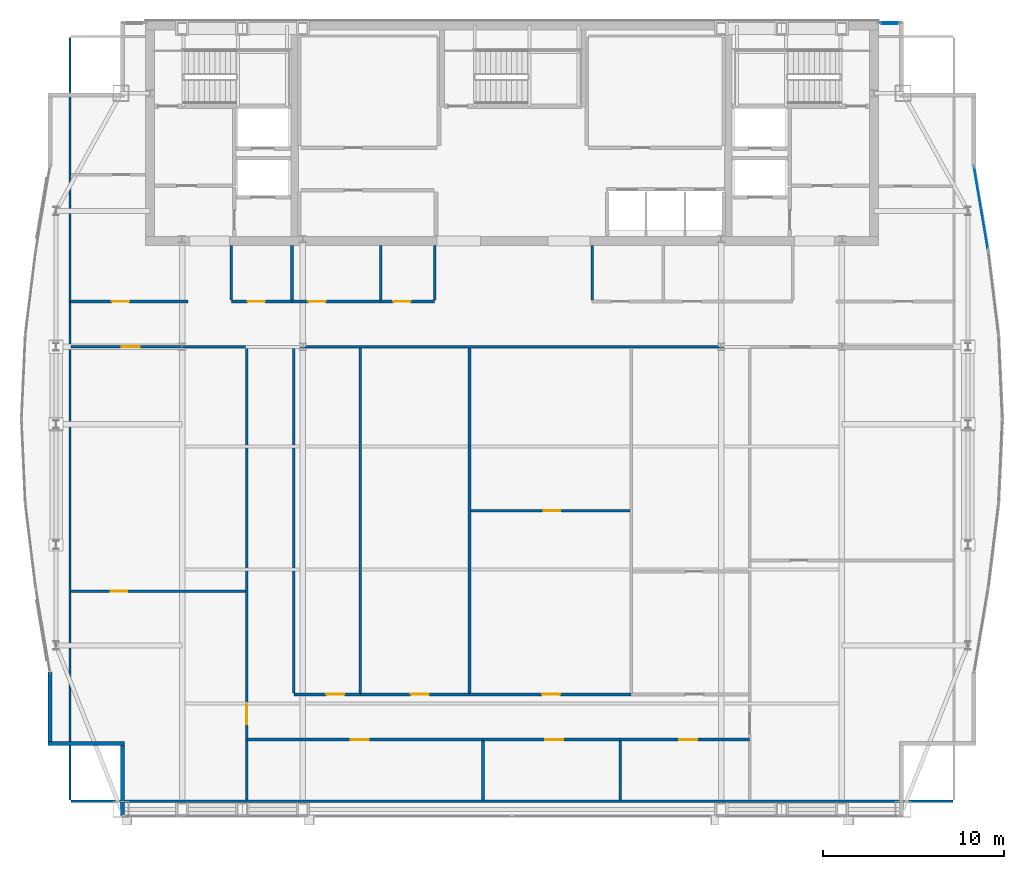
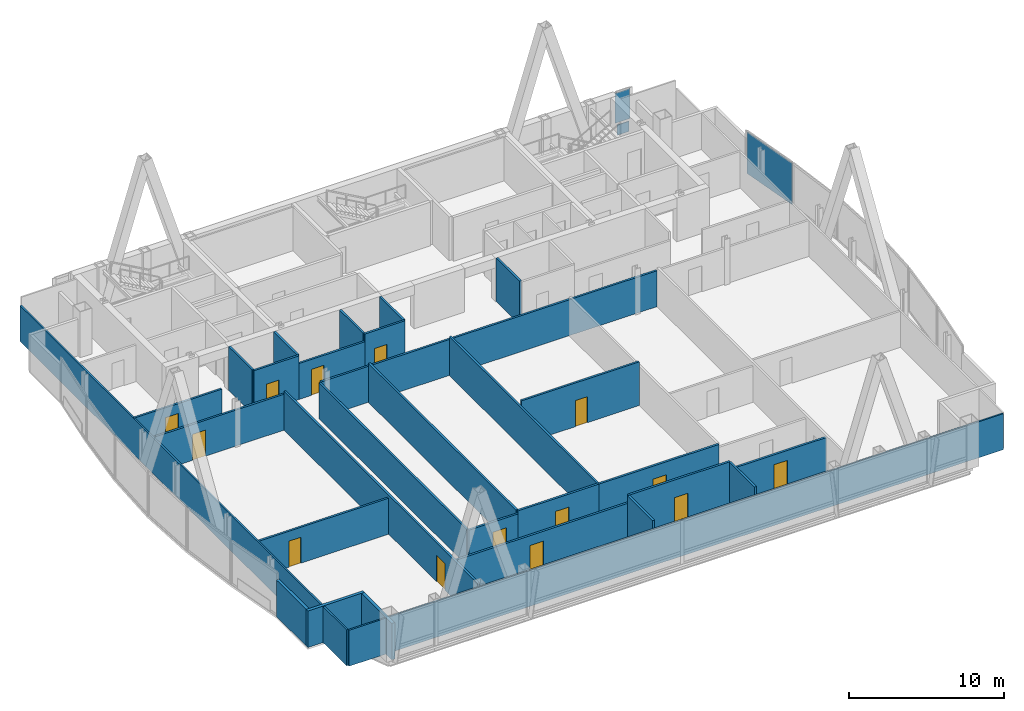
# One storey, part 24 of 29: 30 walls, 14 doors, 3 plates, 14 openings, 2 elements without a shape of their own.
"""IFC4 building model written with IfcOpenShell, lengths in metres."""

import ifcopenshell
import ifcopenshell.guid

model = None  # the IFC model being written
_history = None  # IfcOwnerHistory: only IFC2X3 demands one
_inside = {}  # id of a spatial element -> (the spatial element, [elements in it])
_under = {}  # id of a project, library or spatial element -> (it, [spatial elements below it])
_declared = {}  # id of a project -> (the project, [libraries it declares])
_typed = {}  # id of a type object -> (the type object, [elements of that type])
_made_of = {}  # id of a material, layer set ... -> (it, [elements and type objects made of it])


def new_model(schema):
    """Start an empty IFC model of exactly this schema.

    Asked for "IFC4X3", IfcOpenShell would pick the latest addendum, in which some entities
    have other attributes; the version numbers below select the first issue.
    IFC2X3 requires an IfcOwnerHistory on every rooted entity: one is made here for all.
    """
    global model, _history
    if schema == "IFC4X3":
        model = ifcopenshell.file(schema_version=(4, 3, 0, 0))
    else:
        model = ifcopenshell.file(schema=schema)
    _inside.clear()
    _under.clear()
    _declared.clear()
    _typed.clear()
    _made_of.clear()
    _history = None
    if model.schema == "IFC2X3":
        org = make("IfcOrganization", Name="unknown")
        user = make(
            "IfcPersonAndOrganization",
            ThePerson=make("IfcPerson", FamilyName="unknown"),
            TheOrganization=org,
        )
        app = make(
            "IfcApplication",
            ApplicationDeveloper=org,
            Version="unknown",
            ApplicationFullName="unknown",
            ApplicationIdentifier="unknown",
        )
        _history = make(
            "IfcOwnerHistory",
            OwningUser=user,
            OwningApplication=app,
            ChangeAction="ADDED",
            CreationDate=0,
        )
    return model


def make(cls, **values):
    """One entity of the class cls with the attributes given. An attribute that is None is left unset."""
    return model.create_entity(
        cls, **{name: value for name, value in values.items() if value is not None}
    )


def rooted(cls, **values):
    """An entity with a GlobalId (a new one), such as an element, a storey or a relation."""
    return make(cls, GlobalId=ifcopenshell.guid.new(), OwnerHistory=_history, **values)


def si_unit(unit_type, name, prefix=None):
    """IfcSIUnit, for example si_unit("LENGTHUNIT", "METRE", prefix="MILLI")."""
    return make("IfcSIUnit", UnitType=unit_type, Prefix=prefix, Name=name)


def assignment(units):
    """IfcUnitAssignment: the units of a project."""
    return None if units is None else make("IfcUnitAssignment", Units=units)


def point(xyz):
    """IfcCartesianPoint."""
    return None if xyz is None else make("IfcCartesianPoint", Coordinates=xyz)


def direction(xyz):
    """IfcDirection."""
    return None if xyz is None else make("IfcDirection", DirectionRatios=xyz)


def frame(location, z_axis=None, x_axis=None):
    """IfcAxis2Placement3D, a coordinate frame: its origin and axes. An axis left out is left unset."""
    return make(
        "IfcAxis2Placement3D",
        Location=point(location),
        Axis=direction(z_axis),
        RefDirection=direction(x_axis),
    )


def frame_2d(location, x_axis=None):
    """IfcAxis2Placement2D, a coordinate frame in the plane: its origin and x axis."""
    return make(
        "IfcAxis2Placement2D", Location=point(location), RefDirection=direction(x_axis)
    )


def origin():
    """The frame at (0, 0, 0) with its axes left unset."""
    return frame((0.0, 0.0, 0.0))


def origin_2d():
    """The frame at (0, 0) in the plane with its x axis left unset."""
    return frame_2d((0.0, 0.0))


def place(relative_to, where):
    """IfcLocalPlacement: puts the frame where relative to a parent placement (None: the world)."""
    return make(
        "IfcLocalPlacement", PlacementRelTo=relative_to, RelativePlacement=where
    )


def context(
    kind, dimensions, precision=None, world=None, true_north=None, identifier=None
):
    """IfcGeometricRepresentationContext, for example the 3D "Model" context."""
    return make(
        "IfcGeometricRepresentationContext",
        ContextIdentifier=identifier,
        ContextType=kind,
        CoordinateSpaceDimension=dimensions,
        Precision=precision,
        WorldCoordinateSystem=world,
        TrueNorth=true_north,
    )


def subcontext(parent, identifier, kind, view, scale=None):
    """IfcGeometricRepresentationSubContext, for example "Body" below "Model"."""
    return make(
        "IfcGeometricRepresentationSubContext",
        ContextIdentifier=identifier,
        ContextType=kind,
        ParentContext=parent,
        TargetScale=scale,
        TargetView=view,
    )


def project(units=None, contexts=None):
    """IfcProject with its units and contexts."""
    return rooted(
        "IfcProject",
        Name="project",
        RepresentationContexts=contexts,
        UnitsInContext=assignment(units),
    )


def spatial(cls, under=None, at=None, **own):
    """A site, building, storey or space (cls), placed at a placement, below another one or the project."""
    s = rooted(cls, ObjectPlacement=at, **own)
    if under is not None:
        _under.setdefault(under.id(), (under, []))[1].append(s)
    return s


def profile(cls, at=None, kind="AREA", **sizes):
    """A parametric profile (cls). Its sizes go by their IFC names, for example OverallWidth=200.0."""
    return make(cls, ProfileType=kind, Position=at, **sizes)


def rectangle(**sizes):
    """IfcRectangleProfileDef."""
    return profile("IfcRectangleProfileDef", **sizes)


def extrude(swept, where, along, depth):
    """IfcExtrudedAreaSolid: the profile swept, set in the frame where, extruded along a direction by depth."""
    return make(
        "IfcExtrudedAreaSolid",
        SweptArea=swept,
        Position=where,
        ExtrudedDirection=direction(along),
        Depth=depth,
    )


def shape(context_of_items, identifier, shape_type, items):
    """IfcShapeRepresentation: the items that make up one representation, for example the "Body"."""
    return make(
        "IfcShapeRepresentation",
        ContextOfItems=context_of_items,
        RepresentationIdentifier=identifier,
        RepresentationType=shape_type,
        Items=items,
    )


def material(Name=None, Category=None):
    """IfcMaterial."""
    return make("IfcMaterial", Name=Name, Category=Category)


def layer(
    of_material, thickness, ventilated=None, Name=None, Category=None, Priority=None
):
    """IfcMaterialLayer: one layer of a wall or slab, of a material (None: an air gap)."""
    return make(
        "IfcMaterialLayer",
        Material=of_material,
        LayerThickness=thickness,
        IsVentilated=ventilated,
        Name=Name,
        Category=Category,
        Priority=Priority,
    )


def layer_set(layers, Name=None):
    """IfcMaterialLayerSet."""
    return make("IfcMaterialLayerSet", MaterialLayers=layers, LayerSetName=Name)


def made_of(thing, what):
    """Note that an element or type object is made of a material, layer set ...; save() writes the relation."""
    if what is not None:
        _made_of.setdefault(what.id(), (what, []))[1].append(thing)
    return thing


def type_object(cls, material=None, **own):
    """A type object (cls), such as IfcWallType, which elements share."""
    return made_of(rooted(cls, **own), material)


def element(
    cls,
    number,
    at=None,
    inside=None,
    cuts=None,
    type_object=None,
    material=None,
    context=None,
    identifier="Body",
    shape_type=None,
    held_by="IfcProductDefinitionShape",
    body=None,
    shapes=None,
    **own,
):
    """One element of the class cls, such as IfcWall. Its Tag is "e" and its number.

    at: its placement. inside: the storey or other place that contains it. cuts: it is an
    opening in that element (IfcRelVoidsElement). A single representation is given by context,
    identifier, shape_type and body (its items); several are given by shapes. held_by: the class
    of the entity that holds the representations. save() writes the other relations.
    """
    e = rooted(cls, Tag="e%d" % number, ObjectPlacement=at, **own)
    if body is not None:
        shapes = [shape(context, identifier, shape_type, body)]
    if shapes is not None:
        e.Representation = make(held_by, Representations=shapes)
    if inside is not None:
        _inside.setdefault(inside.id(), (inside, []))[1].append(e)
    if cuts is not None:
        rooted(
            "IfcRelVoidsElement", RelatingBuildingElement=cuts, RelatedOpeningElement=e
        )
    if type_object is not None:
        _typed.setdefault(type_object.id(), (type_object, []))[1].append(e)
    return made_of(e, material)


def fill(opening, filler):
    """IfcRelFillsElement: the door or window that sits in an opening."""
    return rooted(
        "IfcRelFillsElement",
        RelatingOpeningElement=opening,
        RelatedBuildingElement=filler,
    )


def aggregate(whole, parts):
    """IfcRelAggregates: a whole, such as a stair, and the parts it consists of."""
    return rooted("IfcRelAggregates", RelatingObject=whole, RelatedObjects=parts)


def save(model, path):
    """Write the relations noted so far, then the file.

    IfcRelAggregates (storeys below a building ...), IfcRelContainedInSpatialStructure (elements
    in a storey), IfcRelDefinesByType, IfcRelAssociatesMaterial and IfcRelDeclares: one each for
    every whole, place, type object, material and project.
    """
    for whole, parts in _under.values():
        aggregate(whole, parts)
    for where, things in _inside.values():
        rooted(
            "IfcRelContainedInSpatialStructure",
            RelatedElements=things,
            RelatingStructure=where,
        )
    for kind, things in _typed.values():
        rooted("IfcRelDefinesByType", RelatedObjects=things, RelatingType=kind)
    for what, things in _made_of.values():
        rooted("IfcRelAssociatesMaterial", RelatedObjects=things, RelatingMaterial=what)
    for by, libraries in _declared.values():
        rooted("IfcRelDeclares", RelatingContext=by, RelatedDefinitions=libraries)
    model.write(path)


model = new_model("IFC4")

# Units and contexts
model_context = context("Model", 3, precision=1e-05, world=origin(), true_north=direction((0.0, 1.0)))
body_context = subcontext(model_context, "Body", "Model", "MODEL_VIEW")
ifc_project = project(units=[si_unit("LENGTHUNIT", "METRE"), si_unit("AREAUNIT", "SQUARE_METRE"), si_unit("VOLUMEUNIT", "CUBIC_METRE"), si_unit("PLANEANGLEUNIT", "RADIAN"), si_unit("MASSUNIT", "GRAM", prefix="KILO")], contexts=[model_context])

# Site, building, storey
site_placement = place(None, origin())
site = spatial("IfcSite", under=ifc_project, at=site_placement, CompositionType="ELEMENT")
building_placement = place(site_placement, origin())
building = spatial("IfcBuilding", under=site, at=building_placement, Name="Khoronbel Lancet Exchange", CompositionType="ELEMENT")
storey_placement = place(building_placement, frame((0.0, 0.0, 336.199951171875)))
storey = spatial("IfcBuildingStorey", under=building, at=storey_placement, Name="L87", CompositionType="ELEMENT", Elevation=336.199951171875)

# Curtain wall, plates
ifc_material_1 = material(Name="Low-E Solar Control Insulating Glass", Category="glass")
curtain_wall_type_1 = type_object("IfcCurtainWallType", Name="CW-3", PredefinedType="NOTDEFINED", material=ifc_material_1)
curtain_wall_1_placement = place(storey_placement, origin())
curtain_wall_1 = element("IfcCurtainWall", 1, at=curtain_wall_1_placement, inside=storey, type_object=curtain_wall_type_1, Name="Unitised curtain wall CW-L87-NEFLK", PredefinedType="NOTDEFINED")
ifc_material_2 = material(Name="Bronze-Anodised Aluminium 6063-T6", Category="aluminium")
ifc_layer_1 = layer(ifc_material_2, 0.050048828125, Name="Bronze-Anodised Aluminium 6063-T6")
ifc_layer_set_1 = layer_set([ifc_layer_1], Name="Bronze-Anodised Aluminium 6063-T6")
plate_type_1 = type_object("IfcPlateType", Name="PLT-CSP1", PredefinedType="SHEET", material=ifc_layer_set_1)
plate_1_placement = place(storey_placement, frame((57.320068359375, 53.550048828125, 0.0498046875), z_axis=(0.0, 0.0, 1.0), x_axis=(-1.0, 0.0, 0.0)))
plate_1 = element("IfcPlate", 2, at=plate_1_placement, type_object=plate_type_1, Name="Insulated bronze spandrel cassette CW-L87-NEFLK", PredefinedType="SHEET", context=body_context, shape_type="SweptSolid", body=[
    extrude(rectangle(XDim=0.89599609375, YDim=0.050048828125, at=origin_2d()), origin(), (0.0, 0.0, 1.0), 0.800048828125),
])
ifc_layer_2 = layer(ifc_material_1, 0.035888671875, Name="Low-E Solar Control Insulating Glass")
ifc_layer_set_2 = layer_set([ifc_layer_2], Name="Low-E Solar Control Insulating Glass")
plate_type_2 = type_object("IfcPlateType", Name="PLT-CWP1", PredefinedType="CURTAIN_PANEL", material=ifc_layer_set_2)
plate_2_placement = place(storey_placement, frame((57.320068359375, 53.610107421875, 0.99267578125), z_axis=(0.0, 0.0, 1.0), x_axis=(-1.0, 0.0, 0.0)))
plate_2 = element("IfcPlate", 3, at=plate_2_placement, type_object=plate_type_2, Name="CW3 panel 1.2", PredefinedType="CURTAIN_PANEL", context=body_context, shape_type="SweptSolid", body=[
    extrude(rectangle(XDim=1.110107421875, YDim=0.0380859375, at=origin_2d()), origin(), (0.0, 0.0, 1.0), 2.362548828125),
])
aggregate(curtain_wall_1, [plate_2, plate_1])

# Curtain wall, plate
curtain_wall_type_2 = type_object("IfcCurtainWallType", Name="CW-4", PredefinedType="NOTDEFINED", material=ifc_material_1)
curtain_wall_2_placement = place(storey_placement, origin())
curtain_wall_2 = element("IfcCurtainWall", 4, at=curtain_wall_2_placement, inside=storey, type_object=curtain_wall_type_2, Name="Unitised curtain wall CW-L87-E17", PredefinedType="NOTDEFINED")
ifc_material_3 = material(Name="Ceramic-Fritted Laminated Insulating Glass", Category="glass")
ifc_layer_3 = layer(ifc_material_3, 0.0419921875, Name="Ceramic-Fritted Laminated Insulating Glass")
ifc_layer_set_3 = layer_set([ifc_layer_3], Name="Ceramic-Fritted Laminated Insulating Glass")
plate_type_3 = type_object("IfcPlateType", Name="PLT-CWP2", PredefinedType="CURTAIN_PANEL", material=ifc_layer_set_3)
plate_3_placement = place(storey_placement, frame((62.354248046875, 43.3564453125, 0.0849609375), z_axis=(0.0, 0.0, 1.0), x_axis=(0.166390491902, -0.986059939458, 0.0)))
plate_3 = element("IfcPlate", 5, at=plate_3_placement, type_object=plate_type_3, Name="CW4 panel 1.1", PredefinedType="CURTAIN_PANEL", context=body_context, shape_type="SweptSolid", body=[
    extrude(rectangle(XDim=4.588134765625, YDim=0.0380859375, at=origin_2d()), origin(), (0.0, 0.0, 1.0), 3.27001953125),
])
aggregate(curtain_wall_2, [plate_3])

# Walls
ifc_material_4 = material(Name="Precast concrete C40/50", Category="concrete")
ifc_layer_4 = layer(ifc_material_4, 0.25, Name="Precast concrete C40/50")
ifc_layer_set_4 = layer_set([ifc_layer_4], Name="Precast concrete C40/50")
wall_type_1 = type_object("IfcWallType", Name="WL-EXT250", PredefinedType="SOLIDWALL", material=ifc_layer_set_4)
wall_1_placement = place(storey_placement, frame((14.93994140625, 9.77001953125, 0.0), z_axis=(0.0, 0.0, 1.0), x_axis=(0.0, 1.0, 0.0)))
element("IfcWall", 6, at=wall_1_placement, inside=storey, type_object=wall_type_1, Name="Level L87 notched-corner limestone pier 01", PredefinedType="SOLIDWALL", context=body_context, shape_type="SweptSolid", body=[
    extrude(rectangle(XDim=3.909912109375, YDim=0.219970703125, at=frame_2d((1.955078125, 0.0))), origin(), (0.0, 0.0, 1.0), 2.880126953125),
])
wall_2_placement = place(storey_placement, frame((15.050048828125, 13.7900390625, 0.0), z_axis=(0.0, 0.0, 1.0), x_axis=(-1.0, 0.0, 0.0)))
element("IfcWall", 7, at=wall_2_placement, inside=storey, type_object=wall_type_1, Name="Level L87 notched-corner limestone pier 02", PredefinedType="SOLIDWALL", context=body_context, shape_type="SweptSolid", body=[
    extrude(rectangle(XDim=4.219970703125, YDim=0.219970703125, at=frame_2d((2.10986328125, 0.0))), origin(), (0.0, 0.0, 1.0), 2.880126953125),
])
wall_3_placement = place(storey_placement, frame((10.93994140625, 13.89990234375, 0.0), z_axis=(0.0, 0.0, 1.0), x_axis=(0.0, 1.0, 0.0)))
element("IfcWall", 8, at=wall_3_placement, inside=storey, type_object=wall_type_1, Name="Level L87 notched-corner limestone pier 03", PredefinedType="SOLIDWALL", context=body_context, shape_type="SweptSolid", body=[
    extrude(rectangle(XDim=3.82763671875, YDim=0.219970703125, at=frame_2d((1.913818359375, 0.0))), origin(), (0.0, 0.0, 1.0), 2.880126953125),
])
ifc_material_5 = material(Name="Acoustic Metal-Stud & Mineral-Wool Gypsum Partition 120 mm", Category="gypsum")
ifc_layer_5 = layer(ifc_material_5, 0.1201171875, Name="Acoustic Metal-Stud & Mineral-Wool Gypsum Partition 120 mm")
ifc_layer_set_5 = layer_set([ifc_layer_5], Name="Acoustic Metal-Stud & Mineral-Wool Gypsum Partition 120 mm")
wall_type_2 = type_object("IfcWallType", Name="WL-PRT120", PredefinedType="PARTITIONING", material=ifc_layer_set_5)
for number, where, z_axis, x_axis, name in (
    (9, (20.949951171875, 38.280029296875, 0.0), (0.0, 0.0, 1.0), (0.0, 1.0, 0.0), "Level L87 interior partition PW-WC-0"),
    (10, (24.300048828125, 38.280029296875, 0.0), (0.0, 0.0, 1.0), (0.0, 1.0, 0.0), "Level L87 interior partition PW-WC-1"),
    (11, (29.199951171875, 38.280029296875, 0.0), (0.0, 0.0, 1.0), (0.0, 1.0, 0.0), "Level L87 interior partition PW-WC-2"),
    (12, (32.179931640625, 38.280029296875, 0.0), (0.0, 0.0, 1.0), (0.0, 1.0, 0.0), "Level L87 interior partition PW-WC-3"),
    (13, (40.8798828125, 38.280029296875, 0.0), (0.0, 0.0, 1.0), (0.0, 1.0, 0.0), "Level L87 interior partition PW-NP-0"),
):
    element("IfcWall", number, at=place(storey_placement, frame(where, z_axis=z_axis, x_axis=x_axis)), inside=storey, type_object=wall_type_2, Name=name, PredefinedType="PARTITIONING", context=body_context, shape_type="SweptSolid", body=[
        extrude(rectangle(XDim=3.02001953125, YDim=0.14990234375, at=frame_2d((1.510009765625, 0.0))), origin(), (0.0, 0.0, 1.0), 3.43994140625),
    ])

# Wall, opening, door
wall_4_placement = place(storey_placement, frame((12.094970703125, 22.199951171875, 0.0), z_axis=(0.0, 0.0, 1.0), x_axis=(1.0, 0.0, 0.0)))
wall_4 = element("IfcWall", 14, at=wall_4_placement, inside=storey, type_object=wall_type_2, Name="Level L87 interior partition PW-Z4-WH", PredefinedType="PARTITIONING", context=body_context, shape_type="SweptSolid", body=[
    extrude(rectangle(XDim=9.625, YDim=0.14990234375, at=frame_2d((4.8125, 0.0))), origin(), (0.0, 0.0, 1.0), 2.830078125),
])
opening_1_placement = place(wall_4_placement, frame((2.199951171875, 0.0, 0.0)))
opening_1 = element("IfcOpeningElement", 15, at=opening_1_placement, cuts=wall_4, Name="Opening D5", PredefinedType="OPENING", context=body_context, shape_type="SweptSolid", body=[
    extrude(rectangle(XDim=0.89990234375, YDim=2.050048828125, at=frame_2d((0.449951171875, 1.02490234375))), frame((0.0, 0.0849609375, 0.0), z_axis=(0.0, -1.0, 0.0), x_axis=(1.0, 0.0, 0.0)), (0.0, 0.0, 1.0), 0.169921875),
])
ifc_material_6 = material(Name="Acoustic Timber Pantry & Support Door", Category="wood")
door_type_1 = type_object("IfcDoorType", Name="DR-D5", OperationType="NOTDEFINED", PredefinedType="DOOR", material=ifc_material_6)
door_1_placement = place(opening_1_placement, origin())
door_1 = element("IfcDoor", 16, at=door_1_placement, inside=storey, type_object=door_type_1, Name="West lens inner door L87-1", OperationType="SINGLE_SWING_RIGHT", OverallHeight=2.050048828125, OverallWidth=0.89990234375, PredefinedType="DOOR", context=body_context, shape_type="SweptSolid", body=[
    extrude(rectangle(XDim=0.89990234375, YDim=2.050048828125, at=frame_2d((0.449951171875, 1.02490234375))), frame((0.0, 0.02490234375, 0.0), z_axis=(0.0, -1.0, 0.0), x_axis=(1.0, 0.0, 0.0)), (0.0, 0.0, 1.0), 0.050048828125),
])
fill(opening_1, door_1)

wall_5_placement = place(storey_placement, frame((34.187255859375, 26.643310546875, 0.0), z_axis=(0.0, 0.0, 1.0), x_axis=(1.0, 0.0, 0.0)))
wall_5 = element("IfcWall", 17, at=wall_5_placement, inside=storey, type_object=wall_type_2, Name="Level L87 interior partition PW-Z4C-H3", PredefinedType="PARTITIONING", context=body_context, shape_type="SweptSolid", body=[
    extrude(rectangle(XDim=8.76904296875, YDim=0.14990234375, at=frame_2d((4.384521484375, 0.0))), origin(), (0.0, 0.0, 1.0), 3.43994140625),
])
opening_2_placement = place(wall_5_placement, frame((4.01806640625, 0.0, 0.0)))
opening_2 = element("IfcOpeningElement", 18, at=opening_2_placement, cuts=wall_5, Name="Opening D5", PredefinedType="OPENING", context=body_context, shape_type="SweptSolid", body=[
    extrude(rectangle(XDim=0.89990234375, YDim=2.050048828125, at=frame_2d((0.449951171875, 1.02490234375))), frame((0.0, 0.0849609375, 0.0), z_axis=(0.0, -1.0, 0.0), x_axis=(1.0, 0.0, 0.0)), (0.0, 0.0, 1.0), 0.169921875),
])
door_2_placement = place(opening_2_placement, origin())
door_2 = element("IfcDoor", 19, at=door_2_placement, inside=storey, type_object=door_type_1, Name="Z4C inner door 3 L87-1", OperationType="SINGLE_SWING_LEFT", OverallHeight=2.050048828125, OverallWidth=0.89990234375, PredefinedType="DOOR", context=body_context, shape_type="SweptSolid", body=[
    extrude(rectangle(XDim=0.89990234375, YDim=2.050048828125, at=frame_2d((0.449951171875, 1.02490234375))), frame((0.0, 0.02490234375, 0.0), z_axis=(0.0, -1.0, 0.0), x_axis=(1.0, 0.0, 0.0)), (0.0, 0.0, 1.0), 0.050048828125),
])
fill(opening_2, door_2)

# Walls
wall_6_placement = place(storey_placement, frame((12.030029296875, 10.6650390625, 0.0), z_axis=(0.0, 0.0, 1.0), x_axis=(0.0, 1.0, 0.0)))
element("IfcWall", 20, at=wall_6_placement, inside=storey, type_object=wall_type_2, Name="Level L87 interior partition PW-LIN-W", PredefinedType="PARTITIONING", context=body_context, shape_type="SweptSolid", body=[
    extrude(rectangle(XDim=42.10986328125, YDim=0.1201171875, at=frame_2d((21.054931640625, 0.0))), origin(), (0.0, 0.0, 1.0), 2.830078125),
])
wall_7_placement = place(storey_placement, frame((12.094970703125, 10.60009765625, 0.0), z_axis=(0.0, 0.0, 1.0), x_axis=(1.0, 0.0, 0.0)))
element("IfcWall", 21, at=wall_7_placement, inside=storey, type_object=wall_type_2, Name="Level L87 interior partition PW-LIN-S", PredefinedType="PARTITIONING", context=body_context, shape_type="SweptSolid", body=[
    extrude(rectangle(XDim=48.7099609375, YDim=0.1201171875, at=frame_2d((24.35498046875, 0.0))), origin(), (0.0, 0.0, 1.0), 2.830078125),
])

# Wall, opening, door
ifc_material_7 = material(Name="Fire-Rated Twin-Stud Acoustic Gypsum Partition 150 mm", Category="gypsum")
ifc_layer_6 = layer(ifc_material_7, 0.14990234375, Name="Fire-Rated Twin-Stud Acoustic Gypsum Partition 150 mm")
ifc_layer_set_6 = layer_set([ifc_layer_6], Name="Fire-Rated Twin-Stud Acoustic Gypsum Partition 150 mm")
wall_type_3 = type_object("IfcWallType", Name="WL-PRT150C", PredefinedType="PARTITIONING", material=ifc_layer_set_6)
wall_8_placement = place(storey_placement, frame((20.949951171875, 38.199951171875, 0.0), z_axis=(0.0, 0.0, 1.0), x_axis=(1.0, 0.0, 0.0)))
wall_8 = element("IfcWall", 22, at=wall_8_placement, inside=storey, type_object=wall_type_3, Name="Level L87 interior partition PW-WC-S1", PredefinedType="PARTITIONING", context=body_context, shape_type="SweptSolid", body=[
    extrude(rectangle(XDim=3.35009765625, YDim=0.14990234375, at=frame_2d((1.675048828125, 0.0))), origin(), (0.0, 0.0, 1.0), 3.43994140625),
])
opening_3_placement = place(wall_8_placement, frame((0.89990234375, 0.0, 0.0)))
opening_3 = element("IfcOpeningElement", 23, at=opening_3_placement, cuts=wall_8, Name="Opening D4", PredefinedType="OPENING", context=body_context, shape_type="SweptSolid", body=[
    extrude(rectangle(XDim=0.949951171875, YDim=2.050048828125, at=frame_2d((0.47509765625, 1.02490234375))), frame((0.0, 0.0849609375, 0.0), z_axis=(0.0, -1.0, 0.0), x_axis=(1.0, 0.0, 0.0)), (0.0, 0.0, 1.0), 0.169921875),
])
ifc_material_8 = material(Name="Moisture-Resistant HPL Washroom Door", Category="wood")
door_type_2 = type_object("IfcDoorType", Name="DR-D4", OperationType="NOTDEFINED", PredefinedType="DOOR", material=ifc_material_8)
door_3_placement = place(opening_3_placement, origin())
door_3 = element("IfcDoor", 24, at=door_3_placement, inside=storey, type_object=door_type_2, Name="Male washroom door L87-1", OperationType="SINGLE_SWING_LEFT", OverallHeight=2.050048828125, OverallWidth=0.949951171875, PredefinedType="DOOR", context=body_context, shape_type="SweptSolid", body=[
    extrude(rectangle(XDim=0.949951171875, YDim=2.050048828125, at=frame_2d((0.47509765625, 1.02490234375))), frame((0.0, 0.02490234375, 0.0), z_axis=(0.0, -1.0, 0.0), x_axis=(1.0, 0.0, 0.0)), (0.0, 0.0, 1.0), 0.050048828125),
])
fill(opening_3, door_3)

wall_9_placement = place(storey_placement, frame((24.300048828125, 38.199951171875, 0.0), z_axis=(0.0, 0.0, 1.0), x_axis=(1.0, 0.0, 0.0)))
wall_9 = element("IfcWall", 25, at=wall_9_placement, inside=storey, type_object=wall_type_3, Name="Level L87 interior partition PW-WC-S2", PredefinedType="PARTITIONING", context=body_context, shape_type="SweptSolid", body=[
    extrude(rectangle(XDim=4.89990234375, YDim=0.14990234375, at=frame_2d((2.449951171875, 0.0))), origin(), (0.0, 0.0, 1.0), 2.830078125),
])
opening_4_placement = place(wall_9_placement, frame((0.89990234375, 0.0, 0.0)))
opening_4 = element("IfcOpeningElement", 26, at=opening_4_placement, cuts=wall_9, Name="Opening D4", PredefinedType="OPENING", context=body_context, shape_type="SweptSolid", body=[
    extrude(rectangle(XDim=0.949951171875, YDim=2.050048828125, at=frame_2d((0.47509765625, 1.02490234375))), frame((0.0, 0.0849609375, 0.0), z_axis=(0.0, -1.0, 0.0), x_axis=(1.0, 0.0, 0.0)), (0.0, 0.0, 1.0), 0.169921875),
])
door_4_placement = place(opening_4_placement, origin())
door_4 = element("IfcDoor", 27, at=door_4_placement, inside=storey, type_object=door_type_2, Name="Female washroom door L87-1", OperationType="SINGLE_SWING_RIGHT", OverallHeight=2.050048828125, OverallWidth=0.949951171875, PredefinedType="DOOR", context=body_context, shape_type="SweptSolid", body=[
    extrude(rectangle(XDim=0.949951171875, YDim=2.050048828125, at=frame_2d((0.47509765625, 1.02490234375))), frame((0.0, 0.02490234375, 0.0), z_axis=(0.0, -1.0, 0.0), x_axis=(1.0, 0.0, 0.0)), (0.0, 0.0, 1.0), 0.050048828125),
])
fill(opening_4, door_4)

wall_10_placement = place(storey_placement, frame((29.199951171875, 38.199951171875, 0.0), z_axis=(0.0, 0.0, 1.0), x_axis=(1.0, 0.0, 0.0)))
wall_10 = element("IfcWall", 28, at=wall_10_placement, inside=storey, type_object=wall_type_3, Name="Level L87 interior partition PW-WC-S3", PredefinedType="PARTITIONING", context=body_context, shape_type="SweptSolid", body=[
    extrude(rectangle(XDim=2.97998046875, YDim=0.14990234375, at=frame_2d((1.489990234375, 0.0))), origin(), (0.0, 0.0, 1.0), 3.43994140625),
])
opening_5_placement = place(wall_10_placement, frame((0.699951171875, 0.0, 0.0)))
opening_5 = element("IfcOpeningElement", 29, at=opening_5_placement, cuts=wall_10, Name="Opening D4", PredefinedType="OPENING", context=body_context, shape_type="SweptSolid", body=[
    extrude(rectangle(XDim=0.949951171875, YDim=2.050048828125, at=frame_2d((0.47509765625, 1.02490234375))), frame((0.0, 0.0849609375, 0.0), z_axis=(0.0, -1.0, 0.0), x_axis=(1.0, 0.0, 0.0)), (0.0, 0.0, 1.0), 0.169921875),
])
door_5_placement = place(opening_5_placement, origin())
door_5 = element("IfcDoor", 30, at=door_5_placement, inside=storey, type_object=door_type_2, Name="Accessible WC door L87-1", OperationType="SINGLE_SWING_LEFT", OverallHeight=2.050048828125, OverallWidth=0.949951171875, PredefinedType="DOOR", context=body_context, shape_type="SweptSolid", body=[
    extrude(rectangle(XDim=0.949951171875, YDim=2.050048828125, at=frame_2d((0.47509765625, 1.02490234375))), frame((0.0, 0.02490234375, 0.0), z_axis=(0.0, -1.0, 0.0), x_axis=(1.0, 0.0, 0.0)), (0.0, 0.0, 1.0), 0.050048828125),
])
fill(opening_5, door_5)

wall_11_placement = place(storey_placement, frame((12.030029296875, 38.199951171875, 0.0), z_axis=(0.0, 0.0, 1.0), x_axis=(1.0, 0.0, 0.0)))
wall_11 = element("IfcWall", 31, at=wall_11_placement, inside=storey, type_object=wall_type_3, Name="Level L87 interior partition PW-NW-S", PredefinedType="PARTITIONING", context=body_context, shape_type="SweptSolid", body=[
    extrude(rectangle(XDim=6.52001953125, YDim=0.14990234375, at=frame_2d((3.260009765625, 0.0))), origin(), (0.0, 0.0, 1.0), 2.830078125),
])
opening_6_placement = place(wall_11_placement, frame((2.320068359375, 0.0, 0.0)))
opening_6 = element("IfcOpeningElement", 32, at=opening_6_placement, cuts=wall_11, Name="Opening D1", PredefinedType="OPENING", context=body_context, shape_type="SweptSolid", body=[
    extrude(rectangle(XDim=0.949951171875, YDim=2.050048828125, at=frame_2d((0.47509765625, 1.02490234375))), frame((0.0, 0.0849609375, 0.0), z_axis=(0.0, -1.0, 0.0), x_axis=(1.0, 0.0, 0.0)), (0.0, 0.0, 1.0), 0.169921875),
])
ifc_material_9 = material(Name="Acoustic Veneered Timber & Bronze Frame Door", Category="wood")
door_type_3 = type_object("IfcDoorType", Name="DR-D1", OperationType="NOTDEFINED", PredefinedType="DOOR", material=ifc_material_9)
door_6_placement = place(opening_6_placement, origin())
door_6 = element("IfcDoor", 33, at=door_6_placement, inside=storey, type_object=door_type_3, Name="NW corner room door L87-1", OperationType="SINGLE_SWING_RIGHT", OverallHeight=2.050048828125, OverallWidth=0.949951171875, PredefinedType="DOOR", context=body_context, shape_type="SweptSolid", body=[
    extrude(rectangle(XDim=0.949951171875, YDim=2.050048828125, at=frame_2d((0.47509765625, 1.02490234375))), frame((0.0, 0.02490234375, 0.0), z_axis=(0.0, -1.0, 0.0), x_axis=(1.0, 0.0, 0.0)), (0.0, 0.0, 1.0), 0.050048828125),
])
fill(opening_6, door_6)

wall_12_placement = place(storey_placement, frame((21.800048828125, 10.6650390625, 0.0), z_axis=(0.0, 0.0, 1.0), x_axis=(0.0, 1.0, 0.0)))
wall_12 = element("IfcWall", 34, at=wall_12_placement, inside=storey, type_object=wall_type_3, Name="Level L87 interior partition PW-Z4-WW", PredefinedType="PARTITIONING", context=body_context, shape_type="SweptSolid", body=[
    extrude(rectangle(XDim=24.955078125, YDim=0.14990234375, at=frame_2d((12.4775390625, 0.0))), origin(), (0.0, 0.0, 1.0), 3.070068359375),
])
opening_7_placement = place(wall_12_placement, frame((4.199951171875, 0.0, 0.0)))
opening_7 = element("IfcOpeningElement", 35, at=opening_7_placement, cuts=wall_12, Name="Opening D6", PredefinedType="OPENING", context=body_context, shape_type="SweptSolid", body=[
    extrude(rectangle(XDim=1.10009765625, YDim=2.10009765625, at=frame_2d((0.550048828125, 1.050048828125))), frame((0.0, 0.0849609375, 0.0), z_axis=(0.0, -1.0, 0.0), x_axis=(1.0, 0.0, 0.0)), (0.0, 0.0, 1.0), 0.169921875),
])
ifc_material_10 = material(Name="Acoustic Bronze-Veneer Executive Suite Door", Category="wood")
door_type_4 = type_object("IfcDoorType", Name="DR-D6", OperationType="NOTDEFINED", PredefinedType="DOOR", material=ifc_material_10)
door_7_placement = place(opening_7_placement, origin())
door_7 = element("IfcDoor", 36, at=door_7_placement, inside=storey, type_object=door_type_4, Name="West lens presidential door L87-1", OperationType="SINGLE_SWING_RIGHT", OverallHeight=2.10009765625, OverallWidth=1.10009765625, PredefinedType="DOOR", context=body_context, shape_type="SweptSolid", body=[
    extrude(rectangle(XDim=1.10009765625, YDim=2.10009765625, at=frame_2d((0.550048828125, 1.050048828125))), frame((0.0, 0.02490234375, 0.0), z_axis=(0.0, -1.0, 0.0), x_axis=(1.0, 0.0, 0.0)), (0.0, 0.0, 1.0), 0.050048828125),
])
fill(opening_7, door_7)

wall_13_placement = place(storey_placement, frame((12.094970703125, 35.699951171875, 0.0), z_axis=(0.0, 0.0, 1.0), x_axis=(1.0, 0.0, 0.0)))
wall_13 = element("IfcWall", 37, at=wall_13_placement, inside=storey, type_object=wall_type_3, Name="Level L87 interior partition PW-Z4-WN", PredefinedType="PARTITIONING", context=body_context, shape_type="SweptSolid", body=[
    extrude(rectangle(XDim=9.625, YDim=0.14990234375, at=frame_2d((4.8125, 0.0))), origin(), (0.0, 0.0, 1.0), 2.830078125),
])
opening_8_placement = place(wall_13_placement, frame((2.800048828125, 0.0, 0.0)))
opening_8 = element("IfcOpeningElement", 38, at=opening_8_placement, cuts=wall_13, Name="Opening D2", PredefinedType="OPENING", context=body_context, shape_type="SweptSolid", body=[
    extrude(rectangle(XDim=1.0, YDim=2.050048828125, at=frame_2d((0.5, 1.02490234375))), frame((0.0, 0.0849609375, 0.0), z_axis=(0.0, -1.0, 0.0), x_axis=(1.0, 0.0, 0.0)), (0.0, 0.0, 1.0), 0.169921875),
])
door_type_5 = type_object("IfcDoorType", Name="DR-D2", OperationType="NOTDEFINED", PredefinedType="DOOR", material=ifc_material_9)
door_8_placement = place(opening_8_placement, origin())
door_8 = element("IfcDoor", 39, at=door_8_placement, inside=storey, type_object=door_type_5, Name="West lens north door L87-1", OperationType="SINGLE_SWING_LEFT", OverallHeight=2.050048828125, OverallWidth=1.0, PredefinedType="DOOR", context=body_context, shape_type="SweptSolid", body=[
    extrude(rectangle(XDim=1.0, YDim=2.050048828125, at=frame_2d((0.5, 1.02490234375))), frame((0.0, 0.02490234375, 0.0), z_axis=(0.0, -1.0, 0.0), x_axis=(1.0, 0.0, 0.0)), (0.0, 0.0, 1.0), 0.050048828125),
])
fill(opening_8, door_8)

# Walls
wall_14_placement = place(storey_placement, frame((24.39990234375, 16.5849609375, 0.0), z_axis=(0.0, 0.0, 1.0), x_axis=(0.0, 1.0, 0.0)))
element("IfcWall", 40, at=wall_14_placement, inside=storey, type_object=wall_type_3, Name="Level L87 interior partition PW-Z4-WE", PredefinedType="PARTITIONING", context=body_context, shape_type="SweptSolid", body=[
    extrude(rectangle(XDim=19.03515625, YDim=0.14990234375, at=frame_2d((9.517578125, 0.0))), origin(), (0.0, 0.0, 1.0), 2.830078125),
])
wall_15_placement = place(storey_placement, frame((24.47998046875, 35.699951171875, 0.0), z_axis=(0.0, 0.0, 1.0), x_axis=(1.0, 0.0, 0.0)))
element("IfcWall", 41, at=wall_15_placement, inside=storey, type_object=wall_type_3, Name="Level L87 interior partition PW-Z4-EN1", PredefinedType="PARTITIONING", context=body_context, shape_type="SweptSolid", body=[
    extrude(rectangle(XDim=25.02001953125, YDim=0.14990234375, at=frame_2d((12.510009765625, 0.0))), origin(), (0.0, 0.0, 1.0), 2.830078125),
])
for number, where, z_axis, x_axis, name in (
    (42, (28.07373046875, 16.5849609375, 0.0), (0.0, 0.0, 1.0), (0.0, 1.0, 0.0), "Level L87 interior partition PW-Z4C-V1"),
    (43, (34.107177734375, 16.5849609375, 0.0), (0.0, 0.0, 1.0), (0.0, 1.0, 0.0), "Level L87 interior partition PW-Z4C-V2"),
):
    element("IfcWall", number, at=place(storey_placement, frame(where, z_axis=z_axis, x_axis=x_axis)), inside=storey, type_object=wall_type_3, Name=name, PredefinedType="PARTITIONING", context=body_context, shape_type="SweptSolid", body=[
        extrude(rectangle(XDim=19.03515625, YDim=0.14990234375, at=frame_2d((9.517578125, 0.0))), origin(), (0.0, 0.0, 1.0), 3.070068359375),
    ])
for number, where, z_axis, x_axis, name in (
    (44, (34.84814453125, 10.6650390625, 0.0), (0.0, 0.0, 1.0), (0.0, 1.0, 0.0), "Level L87 interior partition PW-Z4S-V1"),
    (45, (42.424560546875, 10.6650390625, 0.0), (0.0, 0.0, 1.0), (0.0, 1.0, 0.0), "Level L87 interior partition PW-Z4S-V2"),
):
    element("IfcWall", number, at=place(storey_placement, frame(where, z_axis=z_axis, x_axis=x_axis)), inside=storey, type_object=wall_type_3, Name=name, PredefinedType="PARTITIONING", context=body_context, shape_type="SweptSolid", body=[
        extrude(rectangle(XDim=3.25, YDim=0.14990234375, at=frame_2d((1.625, 0.0))), origin(), (0.0, 0.0, 1.0), 3.43994140625),
    ])

# Wall, opening, door
ifc_material_11 = material(Name="Fire-Rated Twin-Stud Acoustic Gypsum Partition 160 mm", Category="gypsum")
ifc_layer_7 = layer(ifc_material_11, 0.159912109375, Name="Fire-Rated Twin-Stud Acoustic Gypsum Partition 160 mm")
ifc_layer_set_7 = layer_set([ifc_layer_7], Name="Fire-Rated Twin-Stud Acoustic Gypsum Partition 160 mm")
wall_type_4 = type_object("IfcWallType", Name="WL-PRT160C", PredefinedType="PARTITIONING", material=ifc_layer_set_7)
wall_16_placement = place(storey_placement, frame((24.39990234375, 16.5, 0.0), z_axis=(0.0, 0.0, 1.0), x_axis=(1.0, 0.0, 0.0)))
wall_16 = element("IfcWall", 46, at=wall_16_placement, inside=storey, type_object=wall_type_4, Name="Level L87 interior partition PW-Z4C-COR1", PredefinedType="PARTITIONING", context=body_context, shape_type="SweptSolid", body=[
    extrude(rectangle(XDim=3.673828125, YDim=0.159912109375, at=frame_2d((1.8369140625, 0.0))), origin(), (0.0, 0.0, 1.0), 2.830078125),
])
opening_9_placement = place(wall_16_placement, frame((1.79296875, 0.0, 0.0)))
opening_9 = element("IfcOpeningElement", 47, at=opening_9_placement, cuts=wall_16, Name="Opening D2", PredefinedType="OPENING", context=body_context, shape_type="SweptSolid", body=[
    extrude(rectangle(XDim=1.0, YDim=2.050048828125, at=frame_2d((0.5, 1.02490234375))), frame((0.0, 0.08984375, 0.0), z_axis=(0.0, -1.0, 0.0), x_axis=(1.0, 0.0, 0.0)), (0.0, 0.0, 1.0), 0.179931640625),
])
door_9_placement = place(opening_9_placement, origin())
door_9 = element("IfcDoor", 48, at=door_9_placement, inside=storey, type_object=door_type_5, Name="Z4C bay 1 door L87-1", OperationType="SINGLE_SWING_RIGHT", OverallHeight=2.050048828125, OverallWidth=1.0, PredefinedType="DOOR", context=body_context, shape_type="SweptSolid", body=[
    extrude(rectangle(XDim=1.0, YDim=2.050048828125, at=frame_2d((0.5, 1.02490234375))), frame((0.0, 0.02490234375, 0.0), z_axis=(0.0, -1.0, 0.0), x_axis=(1.0, 0.0, 0.0)), (0.0, 0.0, 1.0), 0.050048828125),
])
fill(opening_9, door_9)

wall_17_placement = place(storey_placement, frame((28.07373046875, 16.5, 0.0), z_axis=(0.0, 0.0, 1.0), x_axis=(1.0, 0.0, 0.0)))
wall_17 = element("IfcWall", 49, at=wall_17_placement, inside=storey, type_object=wall_type_4, Name="Level L87 interior partition PW-Z4C-COR2", PredefinedType="PARTITIONING", context=body_context, shape_type="SweptSolid", body=[
    extrude(rectangle(XDim=6.033447265625, YDim=0.159912109375, at=frame_2d((3.0166015625, 0.0))), origin(), (0.0, 0.0, 1.0), 3.070068359375),
])
opening_10_placement = place(wall_17_placement, frame((2.7841796875, 0.0, 0.0)))
opening_10 = element("IfcOpeningElement", 50, at=opening_10_placement, cuts=wall_17, Name="Opening D2", PredefinedType="OPENING", context=body_context, shape_type="SweptSolid", body=[
    extrude(rectangle(XDim=1.0, YDim=2.050048828125, at=frame_2d((0.5, 1.02490234375))), frame((0.0, 0.08984375, 0.0), z_axis=(0.0, -1.0, 0.0), x_axis=(1.0, 0.0, 0.0)), (0.0, 0.0, 1.0), 0.179931640625),
])
door_10_placement = place(opening_10_placement, origin())
door_10 = element("IfcDoor", 51, at=door_10_placement, inside=storey, type_object=door_type_5, Name="Z4C bay 2 door L87-1", OperationType="SINGLE_SWING_LEFT", OverallHeight=2.050048828125, OverallWidth=1.0, PredefinedType="DOOR", context=body_context, shape_type="SweptSolid", body=[
    extrude(rectangle(XDim=1.0, YDim=2.050048828125, at=frame_2d((0.5, 1.02490234375))), frame((0.0, 0.02490234375, 0.0), z_axis=(0.0, -1.0, 0.0), x_axis=(1.0, 0.0, 0.0)), (0.0, 0.0, 1.0), 0.050048828125),
])
fill(opening_10, door_10)

wall_18_placement = place(storey_placement, frame((34.107177734375, 16.5, 0.0), z_axis=(0.0, 0.0, 1.0), x_axis=(1.0, 0.0, 0.0)))
wall_18 = element("IfcWall", 52, at=wall_18_placement, inside=storey, type_object=wall_type_4, Name="Level L87 interior partition PW-Z4C-COR3", PredefinedType="PARTITIONING", context=body_context, shape_type="SweptSolid", body=[
    extrude(rectangle(XDim=8.92919921875, YDim=0.159912109375, at=frame_2d((4.464599609375, 0.0))), origin(), (0.0, 0.0, 1.0), 3.070068359375),
])
opening_11_placement = place(wall_18_placement, frame((4.000244140625, 0.0, 0.0)))
opening_11 = element("IfcOpeningElement", 53, at=opening_11_placement, cuts=wall_18, Name="Opening D2", PredefinedType="OPENING", context=body_context, shape_type="SweptSolid", body=[
    extrude(rectangle(XDim=1.0, YDim=2.050048828125, at=frame_2d((0.5, 1.02490234375))), frame((0.0, 0.08984375, 0.0), z_axis=(0.0, -1.0, 0.0), x_axis=(1.0, 0.0, 0.0)), (0.0, 0.0, 1.0), 0.179931640625),
])
door_11_placement = place(opening_11_placement, origin())
door_11 = element("IfcDoor", 54, at=door_11_placement, inside=storey, type_object=door_type_5, Name="Z4C bay 3 door L87-1", OperationType="SINGLE_SWING_RIGHT", OverallHeight=2.050048828125, OverallWidth=1.0, PredefinedType="DOOR", context=body_context, shape_type="SweptSolid", body=[
    extrude(rectangle(XDim=1.0, YDim=2.050048828125, at=frame_2d((0.5, 1.02490234375))), frame((0.0, 0.02490234375, 0.0), z_axis=(0.0, -1.0, 0.0), x_axis=(1.0, 0.0, 0.0)), (0.0, 0.0, 1.0), 0.050048828125),
])
fill(opening_11, door_11)

wall_19_placement = place(storey_placement, frame((21.800048828125, 14.0, 0.0), z_axis=(0.0, 0.0, 1.0), x_axis=(1.0, 0.0, 0.0)))
wall_19 = element("IfcWall", 55, at=wall_19_placement, inside=storey, type_object=wall_type_4, Name="Level L87 interior partition PW-Z4S-COR1", PredefinedType="PARTITIONING", context=body_context, shape_type="SweptSolid", body=[
    extrude(rectangle(XDim=13.048095703125, YDim=0.159912109375, at=frame_2d((6.52392578125, 0.0))), origin(), (0.0, 0.0, 1.0), 2.830078125),
])
opening_12_placement = place(wall_19_placement, frame((5.730224609375, 0.0, 0.0)))
opening_12 = element("IfcOpeningElement", 56, at=opening_12_placement, cuts=wall_19, Name="Opening D2", PredefinedType="OPENING", context=body_context, shape_type="SweptSolid", body=[
    extrude(rectangle(XDim=1.0, YDim=2.050048828125, at=frame_2d((0.5, 1.02490234375))), frame((0.0, 0.08984375, 0.0), z_axis=(0.0, -1.0, 0.0), x_axis=(1.0, 0.0, 0.0)), (0.0, 0.0, 1.0), 0.179931640625),
])
door_12_placement = place(opening_12_placement, origin())
door_12 = element("IfcDoor", 57, at=door_12_placement, inside=storey, type_object=door_type_5, Name="Z4S bay 1 door L87-1", OperationType="SINGLE_SWING_RIGHT", OverallHeight=2.050048828125, OverallWidth=1.0, PredefinedType="DOOR", context=body_context, shape_type="SweptSolid", body=[
    extrude(rectangle(XDim=1.0, YDim=2.050048828125, at=frame_2d((0.5, 1.02490234375))), frame((0.0, 0.02490234375, 0.0), z_axis=(0.0, -1.0, 0.0), x_axis=(1.0, 0.0, 0.0)), (0.0, 0.0, 1.0), 0.050048828125),
])
fill(opening_12, door_12)

wall_20_placement = place(storey_placement, frame((34.84814453125, 14.0, 0.0), z_axis=(0.0, 0.0, 1.0), x_axis=(1.0, 0.0, 0.0)))
wall_20 = element("IfcWall", 58, at=wall_20_placement, inside=storey, type_object=wall_type_4, Name="Level L87 interior partition PW-Z4S-COR2", PredefinedType="PARTITIONING", context=body_context, shape_type="SweptSolid", body=[
    extrude(rectangle(XDim=7.576416015625, YDim=0.159912109375, at=frame_2d((3.7880859375, 0.0))), origin(), (0.0, 0.0, 1.0), 3.43994140625),
])
opening_13_placement = place(wall_20_placement, frame((3.431884765625, 0.0, 0.0)))
opening_13 = element("IfcOpeningElement", 59, at=opening_13_placement, cuts=wall_20, Name="Opening D2", PredefinedType="OPENING", context=body_context, shape_type="SweptSolid", body=[
    extrude(rectangle(XDim=1.0, YDim=2.050048828125, at=frame_2d((0.5, 1.02490234375))), frame((0.0, 0.08984375, 0.0), z_axis=(0.0, -1.0, 0.0), x_axis=(1.0, 0.0, 0.0)), (0.0, 0.0, 1.0), 0.179931640625),
])
door_13_placement = place(opening_13_placement, origin())
door_13 = element("IfcDoor", 60, at=door_13_placement, inside=storey, type_object=door_type_5, Name="Z4S bay 2 door L87-1", OperationType="SINGLE_SWING_LEFT", OverallHeight=2.050048828125, OverallWidth=1.0, PredefinedType="DOOR", context=body_context, shape_type="SweptSolid", body=[
    extrude(rectangle(XDim=1.0, YDim=2.050048828125, at=frame_2d((0.5, 1.02490234375))), frame((0.0, 0.02490234375, 0.0), z_axis=(0.0, -1.0, 0.0), x_axis=(1.0, 0.0, 0.0)), (0.0, 0.0, 1.0), 0.050048828125),
])
fill(opening_13, door_13)

wall_21_placement = place(storey_placement, frame((42.424560546875, 14.0, 0.0), z_axis=(0.0, 0.0, 1.0), x_axis=(1.0, 0.0, 0.0)))
wall_21 = element("IfcWall", 61, at=wall_21_placement, inside=storey, type_object=wall_type_4, Name="Level L87 interior partition PW-Z4S-COR3", PredefinedType="PARTITIONING", context=body_context, shape_type="SweptSolid", body=[
    extrude(rectangle(XDim=7.155517578125, YDim=0.159912109375, at=frame_2d((3.57763671875, 0.0))), origin(), (0.0, 0.0, 1.0), 2.830078125),
])
opening_14_placement = place(wall_21_placement, frame((3.25537109375, 0.0, 0.0)))
opening_14 = element("IfcOpeningElement", 62, at=opening_14_placement, cuts=wall_21, Name="Opening D2", PredefinedType="OPENING", context=body_context, shape_type="SweptSolid", body=[
    extrude(rectangle(XDim=1.0, YDim=2.050048828125, at=frame_2d((0.5, 1.02490234375))), frame((0.0, 0.08984375, 0.0), z_axis=(0.0, -1.0, 0.0), x_axis=(1.0, 0.0, 0.0)), (0.0, 0.0, 1.0), 0.179931640625),
])
door_14_placement = place(opening_14_placement, origin())
door_14 = element("IfcDoor", 63, at=door_14_placement, inside=storey, type_object=door_type_5, Name="Z4S bay 3 door L87-1", OperationType="SINGLE_SWING_RIGHT", OverallHeight=2.050048828125, OverallWidth=1.0, PredefinedType="DOOR", context=body_context, shape_type="SweptSolid", body=[
    extrude(rectangle(XDim=1.0, YDim=2.050048828125, at=frame_2d((0.5, 1.02490234375))), frame((0.0, 0.02490234375, 0.0), z_axis=(0.0, -1.0, 0.0), x_axis=(1.0, 0.0, 0.0)), (0.0, 0.0, 1.0), 0.050048828125),
])
fill(opening_14, door_14)

save(model, "model.ifc")
